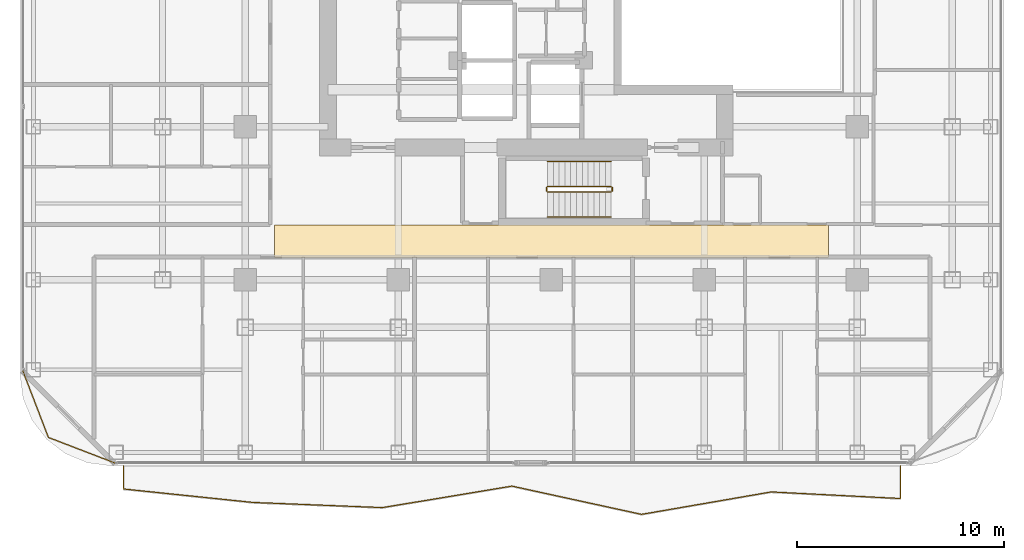
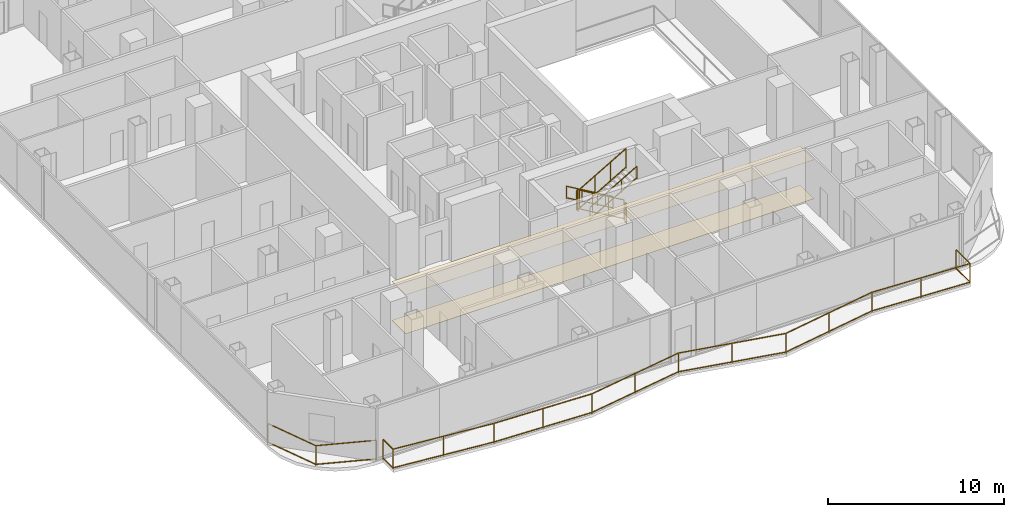
# One storey, part 25 of 27: 8 railings, 2 coverings.
"""IFC4 building model written with IfcOpenShell, lengths in metres."""

from ifc_helpers import new_model, si_unit, direction, frame, origin, origin_2d, place, context, subcontext, project, spatial, polyline, rectangle, outline, extrude, material, layer, layer_set, type_object, element, save


model = new_model("IFC4")

# Units and contexts
model_context = context("Model", 3, precision=1e-05, world=origin(), true_north=direction((0.0, 1.0)))
body_context = subcontext(model_context, "Body", "Model", "MODEL_VIEW")
ifc_project = project(units=[si_unit("LENGTHUNIT", "METRE"), si_unit("AREAUNIT", "SQUARE_METRE"), si_unit("VOLUMEUNIT", "CUBIC_METRE"), si_unit("PLANEANGLEUNIT", "RADIAN"), si_unit("MASSUNIT", "GRAM", prefix="KILO")], contexts=[model_context])

# Site, building, storey
site_placement = place(None, origin())
site = spatial("IfcSite", under=ifc_project, at=site_placement, CompositionType="ELEMENT")
building_placement = place(site_placement, origin())
building = spatial("IfcBuilding", under=site, at=building_placement, Name="Khorvyn Point Tower", CompositionType="ELEMENT")
storey_placement = place(building_placement, frame((0.0, 0.0, 179.699951171875)))
storey = spatial("IfcBuildingStorey", under=building, at=storey_placement, Name="L44", CompositionType="ELEMENT", Elevation=179.699951171875)

# Railings
ifc_material_1 = material(Name="Anodised aluminium 6063-T6 and laminated safety glass", Category="aluminium")
railing_type_1 = type_object("IfcRailingType", Name="Laminated Glass and Aluminium Balcony Guardrail 1400", PredefinedType="BALUSTRADE", material=ifc_material_1)
railing_1_placement = place(storey_placement, frame((-25.57421875, -19.176025390625, 0.0)))
element("IfcRailing", 1, at=railing_1_placement, inside=storey, type_object=railing_type_1, Name="L44 Rounded Corner Edge Guardrail SW", PredefinedType="BALUSTRADE", context=body_context, shape_type="SweptSolid", body=[
    extrude(rectangle(XDim=0.048095703125, YDim=0.048095703125, at=origin_2d()), frame((0.0, 0.0, 1.3759765625), z_axis=(0.358382264808, -0.933574931257, 0.0), x_axis=(0.933574931257, 0.358382264808, 0.0)), (0.0, 0.0, 1.0), 3.481689453125),
    extrude(rectangle(XDim=0.048095703125, YDim=0.048095703125, at=origin_2d()), frame((0.0, 0.0, 0.080078125), z_axis=(0.358382264808, -0.933574931257, 0.0), x_axis=(0.933574931257, 0.358382264808, 0.0)), (0.0, 0.0, 1.0), 3.481689453125),
    extrude(rectangle(XDim=0.048095703125, YDim=0.048095703125, at=origin_2d()), frame((1.247802734375, -3.25048828125, 1.3759765625), z_axis=(0.933598390295, -0.358321148746, 0.0), x_axis=(0.358321148746, 0.933598390295, 0.0)), (0.0, 0.0, 1.0), 3.481689453125),
    extrude(rectangle(XDim=0.048095703125, YDim=0.048095703125, at=origin_2d()), frame((1.247802734375, -3.25048828125, 0.080078125), z_axis=(0.933598390295, -0.358321148746, 0.0), x_axis=(0.358321148746, 0.933598390295, 0.0)), (0.0, 0.0, 1.0), 3.481689453125),
    extrude(rectangle(XDim=0.0419921875, YDim=0.0419921875, at=origin_2d()), origin(), (0.0, 0.0, 1.0), 1.351806640625),
    extrude(rectangle(XDim=0.0419921875, YDim=0.0419921875, at=origin_2d()), frame((1.247802734375, -3.25048828125, 0.0)), (0.0, 0.0, 1.0), 1.351806640625),
    extrude(rectangle(XDim=0.0419921875, YDim=0.0419921875, at=origin_2d()), frame((4.498291015625, -4.498046875, 0.0)), (0.0, 0.0, 1.0), 1.351806640625),
])
railing_2_placement = place(storey_placement, frame((-20.699951171875, -23.800048828125, 0.0)))
element("IfcRailing", 2, at=railing_2_placement, inside=storey, type_object=railing_type_1, Name="L44 South Balcony Guardrail", PredefinedType="BALUSTRADE", context=body_context, shape_type="SweptSolid", body=[
    extrude(rectangle(XDim=0.048095703125, YDim=0.048095703125, at=origin_2d()), frame((0.0, 0.0, 1.3759765625), z_axis=(0.0, -1.0, 0.0), x_axis=(1.0, 0.0, 0.0)), (0.0, 0.0, 1.0), 1.11865234375),
    extrude(rectangle(XDim=0.048095703125, YDim=0.048095703125, at=origin_2d()), frame((0.0, 0.0, 0.080078125), z_axis=(0.0, -1.0, 0.0), x_axis=(1.0, 0.0, 0.0)), (0.0, 0.0, 1.0), 1.11865234375),
    extrude(rectangle(XDim=0.048095703125, YDim=0.048095703125, at=origin_2d()), frame((0.0, -1.11865234375, 1.3759765625), z_axis=(0.99462938435, -0.103500665638, 0.0), x_axis=(0.103500665638, 0.99462938435, 0.0)), (0.0, 0.0, 1.0), 6.300537109375),
    extrude(rectangle(XDim=0.048095703125, YDim=0.048095703125, at=origin_2d()), frame((0.0, -1.11865234375, 0.080078125), z_axis=(0.99462938435, -0.103500665638, 0.0), x_axis=(0.103500665638, 0.99462938435, 0.0)), (0.0, 0.0, 1.0), 6.300537109375),
    extrude(rectangle(XDim=0.048095703125, YDim=0.048095703125, at=origin_2d()), frame((6.2666015625, -1.770751953125, 1.3759765625), z_axis=(0.999209826541, -0.039745723582, 0.0), x_axis=(0.039745723582, 0.999209826541, 0.0)), (0.0, 0.0, 1.0), 6.271484375),
    extrude(rectangle(XDim=0.048095703125, YDim=0.048095703125, at=origin_2d()), frame((6.2666015625, -1.770751953125, 0.080078125), z_axis=(0.999209826541, -0.039745723582, 0.0), x_axis=(0.039745723582, 0.999209826541, 0.0)), (0.0, 0.0, 1.0), 6.271484375),
    extrude(rectangle(XDim=0.048095703125, YDim=0.048095703125, at=origin_2d()), frame((12.533203125, -2.02001953125, 1.3759765625), z_axis=(0.986525523457, 0.163607431273, 0.0), x_axis=(-0.163607431273, 0.986525523457, 0.0)), (0.0, 0.0, 1.0), 6.3525390625),
    extrude(rectangle(XDim=0.048095703125, YDim=0.048095703125, at=origin_2d()), frame((12.533203125, -2.02001953125, 0.080078125), z_axis=(0.986525523457, 0.163607431273, 0.0), x_axis=(-0.163607431273, 0.986525523457, 0.0)), (0.0, 0.0, 1.0), 6.3525390625),
    extrude(rectangle(XDim=0.048095703125, YDim=0.048095703125, at=origin_2d()), frame((18.800048828125, -0.980712890625, 1.3759765625), z_axis=(0.977049765943, -0.213011161377, 0.0), x_axis=(0.213011161377, 0.977049765943, 0.0)), (0.0, 0.0, 1.0), 6.413818359375),
    extrude(rectangle(XDim=0.048095703125, YDim=0.048095703125, at=origin_2d()), frame((18.800048828125, -0.980712890625, 0.080078125), z_axis=(0.977049765943, -0.213011161377, 0.0), x_axis=(0.213011161377, 0.977049765943, 0.0)), (0.0, 0.0, 1.0), 6.413818359375),
    extrude(rectangle(XDim=0.048095703125, YDim=0.048095703125, at=origin_2d()), frame((25.066650390625, -2.346923828125, 1.3759765625), z_axis=(0.985353979217, 0.170521364177, 0.0), x_axis=(-0.170521364177, 0.985353979217, 0.0)), (0.0, 0.0, 1.0), 6.35986328125),
    extrude(rectangle(XDim=0.048095703125, YDim=0.048095703125, at=origin_2d()), frame((25.066650390625, -2.346923828125, 0.080078125), z_axis=(0.985353979217, 0.170521364177, 0.0), x_axis=(-0.170521364177, 0.985353979217, 0.0)), (0.0, 0.0, 1.0), 6.35986328125),
    extrude(rectangle(XDim=0.048095703125, YDim=0.048095703125, at=origin_2d()), frame((31.333251953125, -1.262451171875, 1.3759765625), z_axis=(0.998706121207, -0.050853549183, 0.0), x_axis=(0.050853549183, 0.998706121207, 0.0)), (0.0, 0.0, 1.0), 6.274658203125),
    extrude(rectangle(XDim=0.048095703125, YDim=0.048095703125, at=origin_2d()), frame((31.333251953125, -1.262451171875, 0.080078125), z_axis=(0.998706121207, -0.050853549183, 0.0), x_axis=(0.050853549183, 0.998706121207, 0.0)), (0.0, 0.0, 1.0), 6.274658203125),
    extrude(rectangle(XDim=0.048095703125, YDim=0.048095703125, at=origin_2d()), frame((37.599853515625, -1.58154296875, 1.3759765625), z_axis=(0.0, 1.0, 0.0), x_axis=(-1.0, 0.0, 0.0)), (0.0, 0.0, 1.0), 1.58154296875),
    extrude(rectangle(XDim=0.048095703125, YDim=0.048095703125, at=origin_2d()), frame((37.599853515625, -1.58154296875, 0.080078125), z_axis=(0.0, 1.0, 0.0), x_axis=(-1.0, 0.0, 0.0)), (0.0, 0.0, 1.0), 1.58154296875),
    extrude(rectangle(XDim=0.0419921875, YDim=0.0419921875, at=origin_2d()), origin(), (0.0, 0.0, 1.0), 1.351806640625),
    extrude(rectangle(XDim=0.0419921875, YDim=0.0419921875, at=origin_2d()), frame((0.0, -1.11865234375, 0.0)), (0.0, 0.0, 1.0), 1.351806640625),
    extrude(rectangle(XDim=0.0419921875, YDim=0.0419921875, at=origin_2d()), frame((3.13330078125, -1.44482421875, 0.0)), (0.0, 0.0, 1.0), 1.351806640625),
    extrude(rectangle(XDim=0.0419921875, YDim=0.0419921875, at=origin_2d()), frame((6.2666015625, -1.770751953125, 0.0)), (0.0, 0.0, 1.0), 1.351806640625),
    extrude(rectangle(XDim=0.0419921875, YDim=0.0419921875, at=origin_2d()), frame((9.39990234375, -1.8955078125, 0.0)), (0.0, 0.0, 1.0), 1.351806640625),
    extrude(rectangle(XDim=0.0419921875, YDim=0.0419921875, at=origin_2d()), frame((12.533203125, -2.02001953125, 0.0)), (0.0, 0.0, 1.0), 1.351806640625),
    extrude(rectangle(XDim=0.0419921875, YDim=0.0419921875, at=origin_2d()), frame((15.66650390625, -1.50048828125, 0.0)), (0.0, 0.0, 1.0), 1.351806640625),
    extrude(rectangle(XDim=0.0419921875, YDim=0.0419921875, at=origin_2d()), frame((18.800048828125, -0.980712890625, 0.0)), (0.0, 0.0, 1.0), 1.351806640625),
    extrude(rectangle(XDim=0.0419921875, YDim=0.0419921875, at=origin_2d()), frame((21.933349609375, -1.663818359375, 0.0)), (0.0, 0.0, 1.0), 1.351806640625),
    extrude(rectangle(XDim=0.0419921875, YDim=0.0419921875, at=origin_2d()), frame((25.066650390625, -2.346923828125, 0.0)), (0.0, 0.0, 1.0), 1.351806640625),
    extrude(rectangle(XDim=0.0419921875, YDim=0.0419921875, at=origin_2d()), frame((28.199951171875, -1.8046875, 0.0)), (0.0, 0.0, 1.0), 1.351806640625),
    extrude(rectangle(XDim=0.0419921875, YDim=0.0419921875, at=origin_2d()), frame((31.333251953125, -1.262451171875, 0.0)), (0.0, 0.0, 1.0), 1.351806640625),
    extrude(rectangle(XDim=0.0419921875, YDim=0.0419921875, at=origin_2d()), frame((34.466552734375, -1.421875, 0.0)), (0.0, 0.0, 1.0), 1.351806640625),
    extrude(rectangle(XDim=0.0419921875, YDim=0.0419921875, at=origin_2d()), frame((37.599853515625, -1.58154296875, 0.0)), (0.0, 0.0, 1.0), 1.351806640625),
    extrude(rectangle(XDim=0.0419921875, YDim=0.0419921875, at=origin_2d()), frame((37.599853515625, 0.0, 0.0)), (0.0, 0.0, 1.0), 1.351806640625),
])

# Coverings
ifc_material_2 = material(Name="Mineral-fibre acoustic ceiling board", Category="gypsum")
ifc_layer_1 = layer(ifc_material_2, 0.02001953125)
ifc_layer_set_1 = layer_set([ifc_layer_1], Name="Perforated Mineral-Fibre Acoustic Suspended Ceiling 20")
covering_type_1 = type_object("IfcCoveringType", Name="Perforated Mineral-Fibre Acoustic Suspended Ceiling 20", PredefinedType="CEILING", material=ifc_layer_set_1)
covering_1_placement = place(storey_placement, frame((0.0, 0.0, 2.699951171875)))
element("IfcCovering", 3, at=covering_1_placement, inside=storey, type_object=covering_type_1, Name="L44 South Corridor Acoustic Ceiling", PredefinedType="CEILING", context=body_context, shape_type="SweptSolid", body=[
    extrude(outline(polyline([(-13.39990234375, -13.7099609375), (13.39990234375, -13.7099609375), (13.39990234375, -12.139892578125), (-13.39990234375, -12.139892578125), (-13.39990234375, -13.7099609375)])), origin(), (0.0, 0.0, 1.0), 0.02001953125),
])
ifc_material_3 = material(Name="Vitrified porcelain terrazzo tile", Category="ceramic")
ifc_layer_2 = layer(ifc_material_3, 0.01806640625)
ifc_layer_set_2 = layer_set([ifc_layer_2], Name="Porcelain Terrazzo Corridor Floor Finish Tile 18")
covering_type_2 = type_object("IfcCoveringType", Name="Porcelain Terrazzo Corridor Floor Finish Tile 18", PredefinedType="FLOORING", material=ifc_layer_set_2)
covering_2_placement = place(storey_placement, origin())
element("IfcCovering", 4, at=covering_2_placement, inside=storey, type_object=covering_type_2, Name="L44 South Corridor Terrazzo Flooring", PredefinedType="FLOORING", context=body_context, shape_type="SweptSolid", body=[
    extrude(outline(polyline([(-13.39990234375, -13.7099609375), (13.39990234375, -13.7099609375), (13.39990234375, -12.139892578125), (-13.39990234375, -12.139892578125), (-13.39990234375, -13.7099609375)])), origin(), (0.0, 0.0, 1.0), 0.01806640625),
])

# Railings
ifc_material_4 = material(Name="Stainless steel 1.4301", Category="steel")
railing_type_2 = type_object("IfcRailingType", Name="Stainless Steel 304 Stair Pitch Handrail 900", PredefinedType="HANDRAIL", material=ifc_material_4)
railing_3_placement = place(storey_placement, frame((2.89990234375, -9.070068359375, 0.16259765625)))
element("IfcRailing", 5, at=railing_3_placement, inside=storey, type_object=railing_type_2, Name="L44 ST-01 stair handrail 1", PredefinedType="HANDRAIL", context=body_context, shape_type="SweptSolid", body=[
    extrude(rectangle(XDim=0.048095703125, YDim=0.048095703125, at=origin_2d()), frame((0.0, 0.0, 0.8759765625), z_axis=(-0.864903211148, 0.0, 0.501938676878), x_axis=(0.0, -1.0, 0.0)), (0.0, 0.0, 1.0), 3.560791015625),
    extrude(rectangle(XDim=0.048095703125, YDim=0.048095703125, at=origin_2d()), frame((0.0, 0.0, 0.080078125), z_axis=(-0.864903211148, 0.0, 0.501938676878), x_axis=(0.0, -1.0, 0.0)), (0.0, 0.0, 1.0), 3.560791015625),
    extrude(rectangle(XDim=0.0419921875, YDim=0.0419921875, at=origin_2d()), origin(), (0.0, 0.0, 1.0), 0.851806640625),
    extrude(rectangle(XDim=0.0419921875, YDim=0.0419921875, at=origin_2d()), frame((-1.026611328125, 0.0, 0.595703125)), (0.0, 0.0, 1.0), 0.851806640625),
    extrude(rectangle(XDim=0.0419921875, YDim=0.0419921875, at=origin_2d()), frame((-2.05322265625, 0.0, 1.191650390625)), (0.0, 0.0, 1.0), 0.851806640625),
    extrude(rectangle(XDim=0.0419921875, YDim=0.0419921875, at=origin_2d()), frame((-3.079833984375, 0.0, 1.787353515625)), (0.0, 0.0, 1.0), 0.851806640625),
])
railing_4_placement = place(storey_placement, frame((-0.179931640625, -11.77001953125, 2.112548828125)))
element("IfcRailing", 6, at=railing_4_placement, inside=storey, type_object=railing_type_2, Name="L44 ST-01 stair handrail 2", PredefinedType="HANDRAIL", context=body_context, shape_type="SweptSolid", body=[
    extrude(rectangle(XDim=0.048095703125, YDim=0.048095703125, at=origin_2d()), frame((0.0, 0.0, 0.8759765625), z_axis=(0.864873446163, 0.0, 0.501989962173), x_axis=(0.0, 1.0, 0.0)), (0.0, 0.0, 1.0), 3.56103515625),
    extrude(rectangle(XDim=0.048095703125, YDim=0.048095703125, at=origin_2d()), frame((0.0, 0.0, 0.080078125), z_axis=(0.864873446163, 0.0, 0.501989962173), x_axis=(0.0, 1.0, 0.0)), (0.0, 0.0, 1.0), 3.56103515625),
    extrude(rectangle(XDim=0.0419921875, YDim=0.0419921875, at=origin_2d()), origin(), (0.0, 0.0, 1.0), 0.851806640625),
    extrude(rectangle(XDim=0.0419921875, YDim=0.0419921875, at=origin_2d()), frame((1.026611328125, 0.0, 0.595947265625)), (0.0, 0.0, 1.0), 0.851806640625),
    extrude(rectangle(XDim=0.0419921875, YDim=0.0419921875, at=origin_2d()), frame((2.05322265625, 0.0, 1.191650390625)), (0.0, 0.0, 1.0), 0.851806640625),
    extrude(rectangle(XDim=0.0419921875, YDim=0.0419921875, at=origin_2d()), frame((3.079833984375, 0.0, 1.78759765625)), (0.0, 0.0, 1.0), 0.851806640625),
])
railing_type_3 = type_object("IfcRailingType", Name="Stainless Steel 304 Stair Well Guardrail 1400", PredefinedType="GUARDRAIL", material=ifc_material_4)
railing_5_placement = place(storey_placement, frame((2.89990234375, -10.2900390625, 0.16259765625)))
element("IfcRailing", 7, at=railing_5_placement, inside=storey, type_object=railing_type_3, Name="L44 ST-01 stair guard 1", PredefinedType="GUARDRAIL", context=body_context, shape_type="SweptSolid", body=[
    extrude(rectangle(XDim=0.048095703125, YDim=0.048095703125, at=origin_2d()), frame((0.0, 0.0, 1.3759765625), z_axis=(-0.864903211148, 0.0, 0.501938676878), x_axis=(0.0, -1.0, 0.0)), (0.0, 0.0, 1.0), 3.560791015625),
    extrude(rectangle(XDim=0.048095703125, YDim=0.048095703125, at=origin_2d()), frame((0.0, 0.0, 0.080078125), z_axis=(-0.864903211148, 0.0, 0.501938676878), x_axis=(0.0, -1.0, 0.0)), (0.0, 0.0, 1.0), 3.560791015625),
    extrude(rectangle(XDim=0.0419921875, YDim=0.0419921875, at=origin_2d()), origin(), (0.0, 0.0, 1.0), 1.351806640625),
    extrude(rectangle(XDim=0.0419921875, YDim=0.0419921875, at=origin_2d()), frame((-1.026611328125, 0.0, 0.595703125)), (0.0, 0.0, 1.0), 1.351806640625),
    extrude(rectangle(XDim=0.0419921875, YDim=0.0419921875, at=origin_2d()), frame((-2.05322265625, 0.0, 1.191650390625)), (0.0, 0.0, 1.0), 1.351806640625),
    extrude(rectangle(XDim=0.0419921875, YDim=0.0419921875, at=origin_2d()), frame((-3.079833984375, 0.0, 1.787353515625)), (0.0, 0.0, 1.0), 1.351806640625),
])
railing_6_placement = place(storey_placement, frame((-0.22998046875, -10.340087890625, 1.949951171875)))
element("IfcRailing", 8, at=railing_6_placement, inside=storey, type_object=railing_type_3, Name="L44 ST-01 stair guard 2", PredefinedType="GUARDRAIL", context=body_context, shape_type="SweptSolid", body=[
    extrude(rectangle(XDim=0.048095703125, YDim=0.048095703125, at=origin_2d()), frame((0.0, 0.0, 1.3759765625), z_axis=(0.0, -1.0, 0.0), x_axis=(1.0, 0.0, 0.0)), (0.0, 0.0, 1.0), 0.159912109375),
    extrude(rectangle(XDim=0.048095703125, YDim=0.048095703125, at=origin_2d()), frame((0.0, 0.0, 0.080078125), z_axis=(0.0, -1.0, 0.0), x_axis=(1.0, 0.0, 0.0)), (0.0, 0.0, 1.0), 0.159912109375),
    extrude(rectangle(XDim=0.0419921875, YDim=0.0419921875, at=origin_2d()), origin(), (0.0, 0.0, 1.0), 1.351806640625),
    extrude(rectangle(XDim=0.0419921875, YDim=0.0419921875, at=origin_2d()), frame((0.0, -0.159912109375, 0.0)), (0.0, 0.0, 1.0), 1.351806640625),
])
railing_7_placement = place(storey_placement, frame((-0.179931640625, -10.550048828125, 2.112548828125)))
element("IfcRailing", 9, at=railing_7_placement, inside=storey, type_object=railing_type_3, Name="L44 ST-01 stair guard 3", PredefinedType="GUARDRAIL", context=body_context, shape_type="SweptSolid", body=[
    extrude(rectangle(XDim=0.048095703125, YDim=0.048095703125, at=origin_2d()), frame((0.0, 0.0, 1.3759765625), z_axis=(0.864873446163, 0.0, 0.501989962173), x_axis=(0.0, 1.0, 0.0)), (0.0, 0.0, 1.0), 3.56103515625),
    extrude(rectangle(XDim=0.048095703125, YDim=0.048095703125, at=origin_2d()), frame((0.0, 0.0, 0.080078125), z_axis=(0.864873446163, 0.0, 0.501989962173), x_axis=(0.0, 1.0, 0.0)), (0.0, 0.0, 1.0), 3.56103515625),
    extrude(rectangle(XDim=0.0419921875, YDim=0.0419921875, at=origin_2d()), origin(), (0.0, 0.0, 1.0), 1.351806640625),
    extrude(rectangle(XDim=0.0419921875, YDim=0.0419921875, at=origin_2d()), frame((1.026611328125, 0.0, 0.595947265625)), (0.0, 0.0, 1.0), 1.351806640625),
    extrude(rectangle(XDim=0.0419921875, YDim=0.0419921875, at=origin_2d()), frame((2.05322265625, 0.0, 1.191650390625)), (0.0, 0.0, 1.0), 1.351806640625),
    extrude(rectangle(XDim=0.0419921875, YDim=0.0419921875, at=origin_2d()), frame((3.079833984375, 0.0, 1.78759765625)), (0.0, 0.0, 1.0), 1.351806640625),
])
railing_8_placement = place(storey_placement, frame((2.949951171875, -10.340087890625, 0.0)))
element("IfcRailing", 10, at=railing_8_placement, inside=storey, type_object=railing_type_3, Name="L44 ST-01 stair guard 4", PredefinedType="GUARDRAIL", context=body_context, shape_type="SweptSolid", body=[
    extrude(rectangle(XDim=0.048095703125, YDim=0.048095703125, at=origin_2d()), frame((0.0, 0.0, 1.3759765625), z_axis=(0.0, -1.0, 0.0), x_axis=(1.0, 0.0, 0.0)), (0.0, 0.0, 1.0), 0.159912109375),
    extrude(rectangle(XDim=0.048095703125, YDim=0.048095703125, at=origin_2d()), frame((0.0, 0.0, 0.080078125), z_axis=(0.0, -1.0, 0.0), x_axis=(1.0, 0.0, 0.0)), (0.0, 0.0, 1.0), 0.159912109375),
    extrude(rectangle(XDim=0.0419921875, YDim=0.0419921875, at=origin_2d()), origin(), (0.0, 0.0, 1.0), 1.351806640625),
    extrude(rectangle(XDim=0.0419921875, YDim=0.0419921875, at=origin_2d()), frame((0.0, -0.159912109375, 0.0)), (0.0, 0.0, 1.0), 1.351806640625),
])

save(model, "model.ifc")
